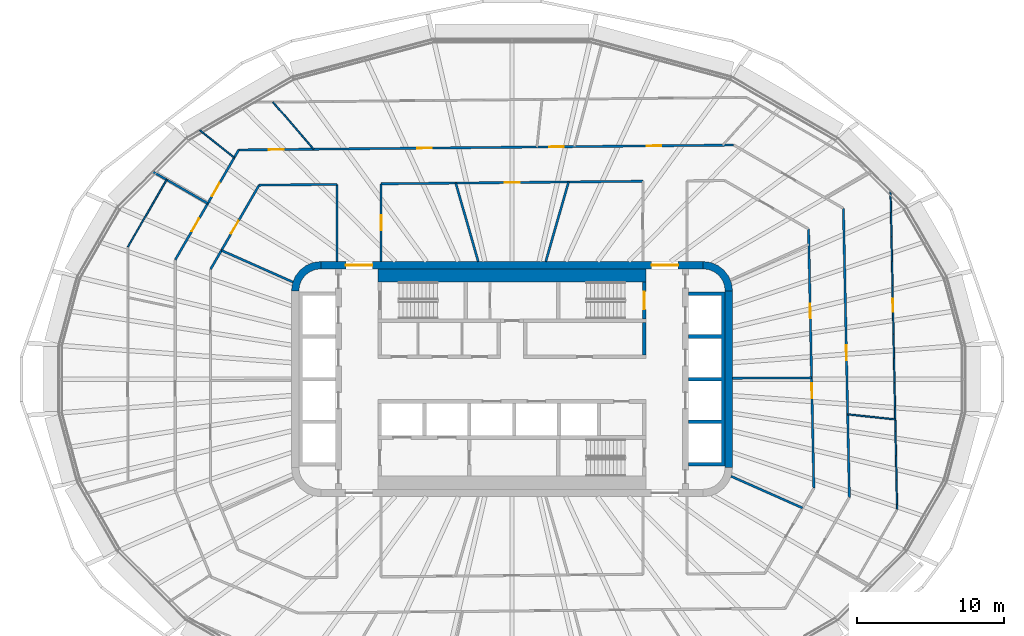
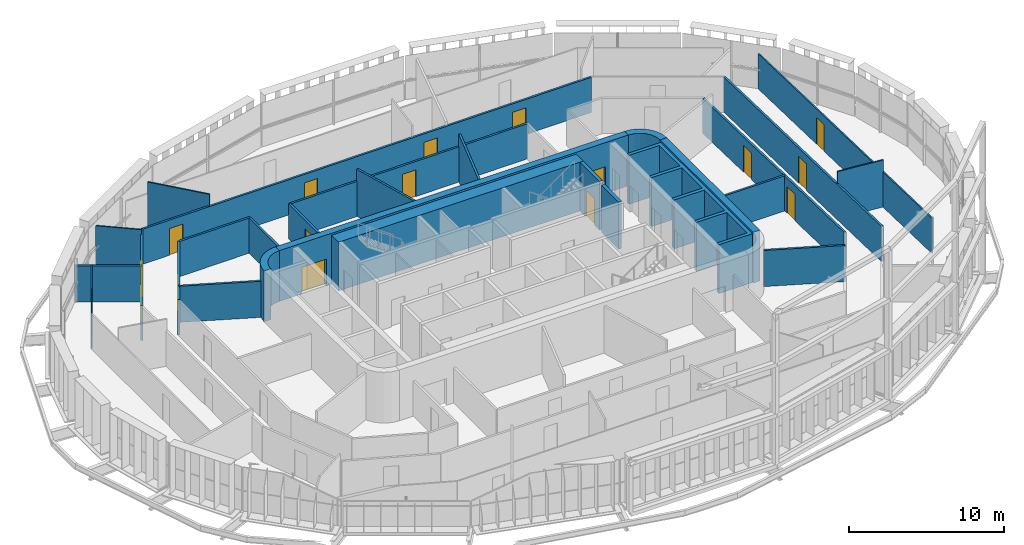
# One storey, part 14 of 23: 28 walls, 16 doors, 16 openings.
"""IFC4 building model written with IfcOpenShell, lengths in metres."""

from ifc_helpers import new_model, si_unit, direction, frame, frame_2d, origin, place, context, subcontext, project, spatial, polyline, rectangle, outline, extrude, material, layer, layer_set, type_object, element, fill, save


model = new_model("IFC4")

# Units and contexts
model_context = context("Model", 3, precision=1e-05, world=origin(), true_north=direction((0.0, 1.0)))
body_context = subcontext(model_context, "Body", "Model", "MODEL_VIEW")
ifc_project = project(units=[si_unit("LENGTHUNIT", "METRE"), si_unit("AREAUNIT", "SQUARE_METRE"), si_unit("VOLUMEUNIT", "CUBIC_METRE"), si_unit("PLANEANGLEUNIT", "RADIAN"), si_unit("MASSUNIT", "GRAM", prefix="KILO")], contexts=[model_context])

# Site, building, storey
site_placement = place(None, origin())
site = spatial("IfcSite", under=ifc_project, at=site_placement, CompositionType="ELEMENT")
building_placement = place(site_placement, origin())
building = spatial("IfcBuilding", under=site, at=building_placement, Name="Sahrelin Media Tower", CompositionType="ELEMENT")
storey_placement = place(building_placement, frame((0.0, 0.0, 185.60009765625)))
storey = spatial("IfcBuildingStorey", under=building, at=storey_placement, Name="L39", CompositionType="ELEMENT", Elevation=185.60009765625)

# Wall, openings, doors
ifc_material_1 = material(Name="Concrete C60/75", Category="concrete")
ifc_layer_1 = layer(ifc_material_1, 0.5)
ifc_layer_set_1 = layer_set([ifc_layer_1], Name="Core wall 500")
wall_type_1 = type_object("IfcWallType", Name="Core wall 500", PredefinedType="SHEAR", material=ifc_layer_set_1)
wall_1_placement = place(storey_placement, frame((-13.0, 7.75, 0.0), z_axis=(0.0, 0.0, 1.0), x_axis=(1.0, 0.0, 0.0)))
wall_1 = element("IfcWall", 1, at=wall_1_placement, inside=storey, type_object=wall_type_1, Name="Core wall N L39", PredefinedType="SHEAR", context=body_context, shape_type="SweptSolid", body=[
    extrude(rectangle(XDim=26.0, YDim=0.5, at=frame_2d((13.0, 0.0))), origin(), (0.0, 0.0, 1.0), 4.0),
])
opening_1_placement = place(wall_1_placement, frame((1.699951171875, 0.0, 0.0)))
opening_1 = element("IfcOpeningElement", 2, at=opening_1_placement, cuts=wall_1, Name="Opening L39-D17", PredefinedType="OPENING", context=body_context, shape_type="SweptSolid", body=[
    extrude(rectangle(XDim=1.800048828125, YDim=2.10009765625, at=frame_2d((0.89990234375, 1.050048828125))), frame((0.0, 0.25, 0.0), z_axis=(0.0, -1.0, 0.0), x_axis=(1.0, 0.0, 0.0)), (0.0, 0.0, 1.0), 0.5),
])
opening_2_placement = place(wall_1_placement, frame((22.5, 0.0, 0.0)))
opening_2 = element("IfcOpeningElement", 3, at=opening_2_placement, cuts=wall_1, Name="Opening L39-D18", PredefinedType="OPENING", context=body_context, shape_type="SweptSolid", body=[
    extrude(rectangle(XDim=1.800048828125, YDim=2.10009765625, at=frame_2d((0.89990234375, 1.050048828125))), frame((0.0, 0.25, 0.0), z_axis=(0.0, -1.0, 0.0), x_axis=(1.0, 0.0, 0.0)), (0.0, 0.0, 1.0), 0.5),
])
ifc_material_2 = material(Name="Steel fire door leaf", Category="steel")
door_type_1 = type_object("IfcDoorType", Name="Lobby double door 1800 x 2100 EI 60", OperationType="DOUBLE_DOOR_SINGLE_SWING", PredefinedType="DOOR", material=ifc_material_2)
door_1_placement = place(opening_1_placement, origin())
door_1 = element("IfcDoor", 4, at=door_1_placement, inside=storey, type_object=door_type_1, Name="Lobby door", OperationType="DOUBLE_DOOR_SINGLE_SWING", OverallHeight=2.10009765625, OverallWidth=1.800048828125, PredefinedType="DOOR", context=body_context, shape_type="SweptSolid", body=[
    extrude(rectangle(XDim=1.800048828125, YDim=2.10009765625, at=frame_2d((0.89990234375, 1.050048828125))), frame((0.0, 0.02490234375, 0.0), z_axis=(0.0, -1.0, 0.0), x_axis=(1.0, 0.0, 0.0)), (0.0, 0.0, 1.0), 0.050048828125),
])
fill(opening_1, door_1)
door_2_placement = place(opening_2_placement, origin())
door_2 = element("IfcDoor", 5, at=door_2_placement, inside=storey, type_object=door_type_1, Name="Lobby door", OperationType="DOUBLE_DOOR_SINGLE_SWING", OverallHeight=2.10009765625, OverallWidth=1.800048828125, PredefinedType="DOOR", context=body_context, shape_type="SweptSolid", body=[
    extrude(rectangle(XDim=1.800048828125, YDim=2.10009765625, at=frame_2d((0.89990234375, 1.050048828125))), frame((0.0, 0.02490234375, 0.0), z_axis=(0.0, -1.0, 0.0), x_axis=(1.0, 0.0, 0.0)), (0.0, 0.0, 1.0), 0.050048828125),
])
fill(opening_2, door_2)

# Walls
wall_2_placement = place(storey_placement, frame((14.75, -6.0, 0.0), z_axis=(0.0, 0.0, 1.0), x_axis=(0.0, 1.0, 0.0)))
element("IfcWall", 6, at=wall_2_placement, inside=storey, type_object=wall_type_1, Name="Core wall E L39", PredefinedType="SHEAR", context=body_context, shape_type="SweptSolid", body=[
    extrude(rectangle(XDim=12.0, YDim=0.5, at=frame_2d((6.0, 0.0))), origin(), (0.0, 0.0, 1.0), 4.0),
])
placement = place(storey_placement, origin())
element("IfcWall", 7, at=placement, inside=storey, type_object=wall_type_1, Name="Core wall corner NE L39", PredefinedType="SHEAR", context=body_context, shape_type="SweptSolid", body=[
    extrude(outline(polyline([(13.0, 8.0), (13.0, 7.49560546875), (13.38720703125, 7.44482421875), (13.747802734375, 7.29541015625), (14.0576171875, 7.0576171875), (14.29541015625, 6.747802734375), (14.44482421875, 6.38720703125), (14.49560546875, 6.0), (15.0, 6.0), (14.931884765625, 6.517578125), (14.732177734375, 7.0), (14.414306640625, 7.414306640625), (14.0, 7.732177734375), (13.517578125, 7.931884765625), (13.0, 8.0)])), origin(), (0.0, 0.0, 1.0), 4.0),
])
element("IfcWall", 8, at=placement, inside=storey, type_object=wall_type_1, Name="Core wall corner NW L39", PredefinedType="SHEAR", context=body_context, shape_type="SweptSolid", body=[
    extrude(outline(polyline([(-15.0, 6.0), (-14.49560546875, 6.0), (-14.44482421875, 6.38720703125), (-14.29541015625, 6.747802734375), (-14.0576171875, 7.0576171875), (-13.747802734375, 7.29541015625), (-13.38720703125, 7.44482421875), (-13.0, 7.49560546875), (-13.0, 8.0), (-13.517578125, 7.931884765625), (-14.0, 7.732177734375), (-14.414306640625, 7.414306640625), (-14.732177734375, 7.0), (-14.931884765625, 6.517578125), (-15.0, 6.0)])), origin(), (0.0, 0.0, 1.0), 4.0),
])
ifc_material_3 = material(Name="Fire-rated gypsum board partition")
ifc_layer_2 = layer(ifc_material_3, 0.25)
ifc_layer_set_2 = layer_set([ifc_layer_2], Name="Fire-rated lobby wall 250")
wall_type_2 = type_object("IfcWallType", Name="Fire-rated lobby wall 250", PredefinedType="PARTITIONING", material=ifc_layer_set_2)
wall_5_placement = place(storey_placement, frame((9.0, 1.64990234375, 0.0), z_axis=(0.0, 0.0, 1.0), x_axis=(0.0, 1.0, 0.0)))
element("IfcWall", 9, at=wall_5_placement, inside=storey, type_object=wall_type_2, Name="Core lobby wall", PredefinedType="PARTITIONING", context=body_context, shape_type="SweptSolid", body=[
    extrude(rectangle(XDim=2.2001953125, YDim=0.25, at=frame_2d((1.10009765625, 0.0))), origin(), (0.0, 0.0, 1.0), 3.699951171875),
])

# Wall, openings, doors
ifc_layer_3 = layer(ifc_material_3, 0.14990234375)
ifc_layer_set_3 = layer_set([ifc_layer_3], Name="Fire-rated partition 150")
wall_type_3 = type_object("IfcWallType", Name="Fire-rated partition 150", PredefinedType="PARTITIONING", material=ifc_layer_set_3)
wall_6_placement = place(storey_placement, frame((20.1669921875, 10.212890625, 0.0), z_axis=(0.0, 0.0, 1.0), x_axis=(0.020624730832, -0.999787287616, 0.0)))
wall_6 = element("IfcWall", 10, at=wall_6_placement, inside=storey, type_object=wall_type_3, Name="Wall", PredefinedType="PARTITIONING", context=body_context, shape_type="SweptSolid", body=[
    extrude(rectangle(XDim=17.637451171875, YDim=0.14990234375, at=frame_2d((8.81884765625, 0.0))), origin(), (0.0, 0.0, 1.0), 2.76806640625),
])
opening_3_placement = place(wall_6_placement, frame((10.507568359375, 0.0, 0.0)))
opening_3 = element("IfcOpeningElement", 11, at=opening_3_placement, cuts=wall_6, Name="Opening L39-D25", PredefinedType="OPENING", context=body_context, shape_type="SweptSolid", body=[
    extrude(rectangle(XDim=1.0, YDim=2.10009765625, at=frame_2d((0.5, 1.050048828125))), frame((0.0, 0.074951171875, 0.0), z_axis=(0.0, -1.0, 0.0), x_axis=(1.0, 0.0, 0.0)), (0.0, 0.0, 1.0), 0.14990234375),
])
opening_4_placement = place(wall_6_placement, frame((5.089111328125, 0.0, 0.0)))
opening_4 = element("IfcOpeningElement", 12, at=opening_4_placement, cuts=wall_6, Name="Opening L39-D26", PredefinedType="OPENING", context=body_context, shape_type="SweptSolid", body=[
    extrude(rectangle(XDim=1.0, YDim=2.10009765625, at=frame_2d((0.5, 1.050048828125))), frame((0.0, 0.074951171875, 0.0), z_axis=(0.0, -1.0, 0.0), x_axis=(1.0, 0.0, 0.0)), (0.0, 0.0, 1.0), 0.14990234375),
])
door_type_2 = type_object("IfcDoorType", Name="Fire door 1000 x 2100 EI 60", OperationType="NOTDEFINED", PredefinedType="DOOR", material=ifc_material_2)
door_3_placement = place(opening_3_placement, origin())
door_3 = element("IfcDoor", 13, at=door_3_placement, inside=storey, type_object=door_type_2, Name="Fire door", OperationType="SINGLE_SWING_RIGHT", OverallHeight=2.10009765625, OverallWidth=1.0, PredefinedType="DOOR", context=body_context, shape_type="SweptSolid", body=[
    extrude(rectangle(XDim=1.0, YDim=2.10009765625, at=frame_2d((0.5, 1.050048828125))), frame((0.0, 0.02490234375, 0.0), z_axis=(0.0, -1.0, 0.0), x_axis=(1.0, 0.0, 0.0)), (0.0, 0.0, 1.0), 0.050048828125),
])
fill(opening_3, door_3)
door_4_placement = place(opening_4_placement, origin())
door_4 = element("IfcDoor", 14, at=door_4_placement, inside=storey, type_object=door_type_2, Name="Fire door", OperationType="SINGLE_SWING_LEFT", OverallHeight=2.10009765625, OverallWidth=1.0, PredefinedType="DOOR", context=body_context, shape_type="SweptSolid", body=[
    extrude(rectangle(XDim=1.0, YDim=2.10009765625, at=frame_2d((0.5, 1.050048828125))), frame((0.0, 0.02490234375, 0.0), z_axis=(0.0, -1.0, 0.0), x_axis=(1.0, 0.0, 0.0)), (0.0, 0.0, 1.0), 0.050048828125),
])
fill(opening_4, door_4)

# Wall, opening, door
wall_7_placement = place(storey_placement, frame((22.5390625, 11.614990234375, 0.0), z_axis=(0.0, 0.0, 1.0), x_axis=(0.020626332176, -0.99978725458, 0.0)))
wall_7 = element("IfcWall", 15, at=wall_7_placement, inside=storey, type_object=wall_type_3, Name="Wall", PredefinedType="PARTITIONING", context=body_context, shape_type="SweptSolid", body=[
    extrude(rectangle(XDim=19.66015625, YDim=0.14990234375, at=frame_2d((9.830078125, 0.0))), origin(), (0.0, 0.0, 1.0), 2.76806640625),
])
opening_5_placement = place(wall_7_placement, frame((9.329833984375, 0.0, 0.0)))
opening_5 = element("IfcOpeningElement", 16, at=opening_5_placement, cuts=wall_7, Name="Opening L39-D36", PredefinedType="OPENING", context=body_context, shape_type="SweptSolid", body=[
    extrude(rectangle(XDim=1.0, YDim=2.10009765625, at=frame_2d((0.5, 1.050048828125))), frame((0.0, 0.074951171875, 0.0), z_axis=(0.0, -1.0, 0.0), x_axis=(1.0, 0.0, 0.0)), (0.0, 0.0, 1.0), 0.14990234375),
])
door_5_placement = place(opening_5_placement, origin())
door_5 = element("IfcDoor", 17, at=door_5_placement, inside=storey, type_object=door_type_2, Name="Fire door", OperationType="SINGLE_SWING_RIGHT", OverallHeight=2.10009765625, OverallWidth=1.0, PredefinedType="DOOR", context=body_context, shape_type="SweptSolid", body=[
    extrude(rectangle(XDim=1.0, YDim=2.10009765625, at=frame_2d((0.5, 1.050048828125))), frame((0.0, 0.02490234375, 0.0), z_axis=(0.0, -1.0, 0.0), x_axis=(1.0, 0.0, 0.0)), (0.0, 0.0, 1.0), 0.050048828125),
])
fill(opening_5, door_5)

# Walls
wall_8_placement = place(storey_placement, frame((-3.826904296875, 13.3330078125, 0.0), z_axis=(0.0, 0.0, 1.0), x_axis=(0.275935525478, -0.961176147113, 0.0)))
element("IfcWall", 18, at=wall_8_placement, inside=storey, type_object=wall_type_3, Name="Wall", PredefinedType="PARTITIONING", context=body_context, shape_type="SweptSolid", body=[
    extrude(rectangle(XDim=5.54833984375, YDim=0.14990234375, at=frame_2d((2.774169921875, 0.0))), origin(), (0.0, 0.0, 1.0), 3.699951171875),
])
wall_9_placement = place(storey_placement, frame((-24.43310546875, 14.10595703125, 0.0), z_axis=(0.0, 0.0, 1.0), x_axis=(0.866048255864, -0.499960416948, 0.0)))
element("IfcWall", 19, at=wall_9_placement, inside=storey, type_object=wall_type_3, Name="Wall", PredefinedType="PARTITIONING", context=body_context, shape_type="SweptSolid", body=[
    extrude(rectangle(XDim=4.322021484375, YDim=0.14990234375, at=frame_2d((2.1611328125, 0.0))), origin(), (0.0, 0.0, 1.0), 2.844970703125),
])
wall_10_placement = place(storey_placement, frame((-19.760009765625, 8.7548828125, 0.0), z_axis=(0.0, 0.0, 1.0), x_axis=(0.91424834547, -0.405154245695, 0.0)))
element("IfcWall", 20, at=wall_10_placement, inside=storey, type_object=wall_type_3, Name="Wall", PredefinedType="PARTITIONING", context=body_context, shape_type="SweptSolid", body=[
    extrude(rectangle(XDim=5.31787109375, YDim=0.14990234375, at=frame_2d((2.658935546875, 0.0))), origin(), (0.0, 0.0, 1.0), 2.844970703125),
])
wall_11_placement = place(storey_placement, frame((14.89501953125, -6.60693359375, 0.0), z_axis=(0.0, 0.0, 1.0), x_axis=(0.914233271379, -0.405188259337, 0.0)))
element("IfcWall", 21, at=wall_11_placement, inside=storey, type_object=wall_type_3, Name="Wall", PredefinedType="PARTITIONING", context=body_context, shape_type="SweptSolid", body=[
    extrude(rectangle(XDim=5.3173828125, YDim=0.14990234375, at=frame_2d((2.65869140625, 0.0))), origin(), (0.0, 0.0, 1.0), 2.844970703125),
])
wall_12_placement = place(storey_placement, frame((15.0, 0.06298828125, 0.0), z_axis=(0.0, 0.0, 1.0), x_axis=(0.999990294223, 0.004405843865, 0.0)))
element("IfcWall", 22, at=wall_12_placement, inside=storey, type_object=wall_type_3, Name="Wall", PredefinedType="PARTITIONING", context=body_context, shape_type="SweptSolid", body=[
    extrude(rectangle(XDim=5.375, YDim=0.14990234375, at=frame_2d((2.6875, 0.0))), origin(), (0.0, 0.0, 1.0), 2.76806640625),
])
wall_13_placement = place(storey_placement, frame((-17.194091796875, 13.19091796875, 0.0), z_axis=(0.0, 0.0, 1.0), x_axis=(0.999950853109, 0.009914200296, 0.0)))
element("IfcWall", 23, at=wall_13_placement, inside=storey, type_object=wall_type_3, Name="Wall", PredefinedType="PARTITIONING", context=body_context, shape_type="SweptSolid", body=[
    extrude(rectangle(XDim=5.29443359375, YDim=0.14990234375, at=frame_2d((2.647216796875, 0.0))), origin(), (0.0, 0.0, 1.0), 2.77685546875),
])

# Wall, opening, door
wall_14_placement = place(storey_placement, frame((-8.89990234375, 13.282470703125, 0.0), z_axis=(0.0, 0.0, 1.0), x_axis=(0.999951241216, 0.009874977968, 0.0)))
wall_14 = element("IfcWall", 24, at=wall_14_placement, inside=storey, type_object=wall_type_3, Name="Wall", PredefinedType="PARTITIONING", context=body_context, shape_type="SweptSolid", body=[
    extrude(rectangle(XDim=17.80078125, YDim=0.14990234375, at=frame_2d((8.900390625, 0.0))), origin(), (0.0, 0.0, 1.0), 2.76806640625),
])
opening_6_placement = place(wall_14_placement, frame((8.41259765625, 0.0, 0.0)))
opening_6 = element("IfcOpeningElement", 25, at=opening_6_placement, cuts=wall_14, Name="Opening L39-D29", PredefinedType="OPENING", context=body_context, shape_type="SweptSolid", body=[
    extrude(rectangle(XDim=1.0, YDim=2.10009765625, at=frame_2d((0.5, 1.050048828125))), frame((0.0, 0.074951171875, 0.0), z_axis=(0.0, -1.0, 0.0), x_axis=(1.0, 0.0, 0.0)), (0.0, 0.0, 1.0), 0.14990234375),
])
door_6_placement = place(opening_6_placement, origin())
door_6 = element("IfcDoor", 26, at=door_6_placement, inside=storey, type_object=door_type_2, Name="Fire door", OperationType="SINGLE_SWING_RIGHT", OverallHeight=2.10009765625, OverallWidth=1.0, PredefinedType="DOOR", context=body_context, shape_type="SweptSolid", body=[
    extrude(rectangle(XDim=1.0, YDim=2.10009765625, at=frame_2d((0.5, 1.050048828125))), frame((0.0, 0.02490234375, 0.0), z_axis=(0.0, -1.0, 0.0), x_axis=(1.0, 0.0, 0.0)), (0.0, 0.0, 1.0), 0.050048828125),
])
fill(opening_6, door_6)

# Wall, openings, doors
wall_15_placement = place(storey_placement, frame((-18.5869140625, 15.58642578125, 0.0), z_axis=(0.0, 0.0, 1.0), x_axis=(0.999951300332, 0.009868989991, 0.0)))
wall_15 = element("IfcWall", 27, at=wall_15_placement, inside=storey, type_object=wall_type_3, Name="Wall", PredefinedType="PARTITIONING", context=body_context, shape_type="SweptSolid", body=[
    extrude(rectangle(XDim=33.668701171875, YDim=0.14990234375, at=frame_2d((16.83447265625, 0.0))), origin(), (0.0, 0.0, 1.0), 2.76806640625),
])
opening_7_placement = place(wall_15_placement, frame((27.74853515625, 0.0, 0.0)))
opening_7 = element("IfcOpeningElement", 28, at=opening_7_placement, cuts=wall_15, Name="Opening L39-D39", PredefinedType="OPENING", context=body_context, shape_type="SweptSolid", body=[
    extrude(rectangle(XDim=1.0, YDim=2.10009765625, at=frame_2d((0.5, 1.050048828125))), frame((0.0, 0.074951171875, 0.0), z_axis=(0.0, -1.0, 0.0), x_axis=(1.0, 0.0, 0.0)), (0.0, 0.0, 1.0), 0.14990234375),
])
opening_8_placement = place(wall_15_placement, frame((21.11083984375, 0.0, 0.0)))
opening_8 = element("IfcOpeningElement", 29, at=opening_8_placement, cuts=wall_15, Name="Opening L39-D41", PredefinedType="OPENING", context=body_context, shape_type="SweptSolid", body=[
    extrude(rectangle(XDim=1.0, YDim=2.10009765625, at=frame_2d((0.5, 1.050048828125))), frame((0.0, 0.074951171875, 0.0), z_axis=(0.0, -1.0, 0.0), x_axis=(1.0, 0.0, 0.0)), (0.0, 0.0, 1.0), 0.14990234375),
])
opening_9_placement = place(wall_15_placement, frame((12.139404296875, 0.0, 0.0)))
opening_9 = element("IfcOpeningElement", 30, at=opening_9_placement, cuts=wall_15, Name="Opening L39-D42", PredefinedType="OPENING", context=body_context, shape_type="SweptSolid", body=[
    extrude(rectangle(XDim=1.0, YDim=2.10009765625, at=frame_2d((0.5, 1.050048828125))), frame((0.0, 0.074951171875, 0.0), z_axis=(0.0, -1.0, 0.0), x_axis=(1.0, 0.0, 0.0)), (0.0, 0.0, 1.0), 0.14990234375),
])
opening_10_placement = place(wall_15_placement, frame((2.0478515625, 0.0, 0.0)))
opening_10 = element("IfcOpeningElement", 31, at=opening_10_placement, cuts=wall_15, Name="Opening L39-D43", PredefinedType="OPENING", context=body_context, shape_type="SweptSolid", body=[
    extrude(rectangle(XDim=1.0, YDim=2.10009765625, at=frame_2d((0.5, 1.050048828125))), frame((0.0, 0.074951171875, 0.0), z_axis=(0.0, -1.0, 0.0), x_axis=(1.0, 0.0, 0.0)), (0.0, 0.0, 1.0), 0.14990234375),
])
door_7_placement = place(opening_7_placement, origin())
door_7 = element("IfcDoor", 32, at=door_7_placement, inside=storey, type_object=door_type_2, Name="Fire door", OperationType="SINGLE_SWING_RIGHT", OverallHeight=2.10009765625, OverallWidth=1.0, PredefinedType="DOOR", context=body_context, shape_type="SweptSolid", body=[
    extrude(rectangle(XDim=1.0, YDim=2.10009765625, at=frame_2d((0.5, 1.050048828125))), frame((0.0, 0.02490234375, 0.0), z_axis=(0.0, -1.0, 0.0), x_axis=(1.0, 0.0, 0.0)), (0.0, 0.0, 1.0), 0.050048828125),
])
fill(opening_7, door_7)
door_8_placement = place(opening_8_placement, origin())
door_8 = element("IfcDoor", 33, at=door_8_placement, inside=storey, type_object=door_type_2, Name="Fire door", OperationType="SINGLE_SWING_LEFT", OverallHeight=2.10009765625, OverallWidth=1.0, PredefinedType="DOOR", context=body_context, shape_type="SweptSolid", body=[
    extrude(rectangle(XDim=1.0, YDim=2.10009765625, at=frame_2d((0.5, 1.050048828125))), frame((0.0, 0.02490234375, 0.0), z_axis=(0.0, -1.0, 0.0), x_axis=(1.0, 0.0, 0.0)), (0.0, 0.0, 1.0), 0.050048828125),
])
fill(opening_8, door_8)
door_9_placement = place(opening_9_placement, origin())
door_9 = element("IfcDoor", 34, at=door_9_placement, inside=storey, type_object=door_type_2, Name="Fire door", OperationType="SINGLE_SWING_LEFT", OverallHeight=2.10009765625, OverallWidth=1.0, PredefinedType="DOOR", context=body_context, shape_type="SweptSolid", body=[
    extrude(rectangle(XDim=1.0, YDim=2.10009765625, at=frame_2d((0.5, 1.050048828125))), frame((0.0, 0.02490234375, 0.0), z_axis=(0.0, -1.0, 0.0), x_axis=(1.0, 0.0, 0.0)), (0.0, 0.0, 1.0), 0.050048828125),
])
fill(opening_9, door_9)
door_10_placement = place(opening_10_placement, origin())
door_10 = element("IfcDoor", 35, at=door_10_placement, inside=storey, type_object=door_type_2, Name="Fire door", OperationType="SINGLE_SWING_RIGHT", OverallHeight=2.10009765625, OverallWidth=1.0, PredefinedType="DOOR", context=body_context, shape_type="SweptSolid", body=[
    extrude(rectangle(XDim=1.0, YDim=2.10009765625, at=frame_2d((0.5, 1.050048828125))), frame((0.0, 0.02490234375, 0.0), z_axis=(0.0, -1.0, 0.0), x_axis=(1.0, 0.0, 0.0)), (0.0, 0.0, 1.0), 0.050048828125),
])
fill(opening_10, door_10)

# Wall, opening, door
wall_16_placement = place(storey_placement, frame((-20.5, 7.47412109375, 0.0), z_axis=(0.0, 0.0, 1.0), x_axis=(0.499957196903, 0.866050114754, 0.0)))
wall_16 = element("IfcWall", 36, at=wall_16_placement, inside=storey, type_object=wall_type_3, Name="Wall", PredefinedType="PARTITIONING", context=body_context, shape_type="SweptSolid", body=[
    extrude(rectangle(XDim=6.60205078125, YDim=0.14990234375, at=frame_2d((3.301025390625, 0.0))), origin(), (0.0, 0.0, 1.0), 2.77685546875),
])
opening_11_placement = place(wall_16_placement, frame((2.8017578125, 0.0, 0.0)))
opening_11 = element("IfcOpeningElement", 37, at=opening_11_placement, cuts=wall_16, Name="Opening L39-D31", PredefinedType="OPENING", context=body_context, shape_type="SweptSolid", body=[
    extrude(rectangle(XDim=1.0, YDim=2.10009765625, at=frame_2d((0.5, 1.050048828125))), frame((0.0, 0.074951171875, 0.0), z_axis=(0.0, -1.0, 0.0), x_axis=(1.0, 0.0, 0.0)), (0.0, 0.0, 1.0), 0.14990234375),
])
door_11_placement = place(opening_11_placement, origin())
door_11 = element("IfcDoor", 38, at=door_11_placement, inside=storey, type_object=door_type_2, Name="Fire door", OperationType="SINGLE_SWING_LEFT", OverallHeight=2.10009765625, OverallWidth=1.0, PredefinedType="DOOR", context=body_context, shape_type="SweptSolid", body=[
    extrude(rectangle(XDim=1.0, YDim=2.10009765625, at=frame_2d((0.5, 1.050048828125))), frame((0.0, 0.02490234375, 0.0), z_axis=(0.0, -1.0, 0.0), x_axis=(1.0, 0.0, 0.0)), (0.0, 0.0, 1.0), 0.050048828125),
])
fill(opening_11, door_11)

# Wall, openings, doors
wall_17_placement = place(storey_placement, frame((-22.89990234375, 8.116943359375, 0.0), z_axis=(0.0, 0.0, 1.0), x_axis=(0.499950307977, 0.866054091587, 0.0)))
wall_17 = element("IfcWall", 39, at=wall_17_placement, inside=storey, type_object=wall_type_3, Name="Wall", PredefinedType="PARTITIONING", context=body_context, shape_type="SweptSolid", body=[
    extrude(rectangle(XDim=8.6259765625, YDim=0.14990234375, at=frame_2d((4.31298828125, 0.0))), origin(), (0.0, 0.0, 1.0), 2.77685546875),
])
opening_12_placement = place(wall_17_placement, frame((5.015380859375, 0.0, 0.0)))
opening_12 = element("IfcOpeningElement", 40, at=opening_12_placement, cuts=wall_17, Name="Opening L39-D44", PredefinedType="OPENING", context=body_context, shape_type="SweptSolid", body=[
    extrude(rectangle(XDim=1.0, YDim=2.10009765625, at=frame_2d((0.5, 1.050048828125))), frame((0.0, 0.074951171875, 0.0), z_axis=(0.0, -1.0, 0.0), x_axis=(1.0, 0.0, 0.0)), (0.0, 0.0, 1.0), 0.14990234375),
])
opening_13_placement = place(wall_17_placement, frame((2.2373046875, 0.0, 0.0)))
opening_13 = element("IfcOpeningElement", 41, at=opening_13_placement, cuts=wall_17, Name="Opening L39-D46", PredefinedType="OPENING", context=body_context, shape_type="SweptSolid", body=[
    extrude(rectangle(XDim=1.0, YDim=2.10009765625, at=frame_2d((0.5, 1.050048828125))), frame((0.0, 0.074951171875, 0.0), z_axis=(0.0, -1.0, 0.0), x_axis=(1.0, 0.0, 0.0)), (0.0, 0.0, 1.0), 0.14990234375),
])
door_12_placement = place(opening_12_placement, origin())
door_12 = element("IfcDoor", 42, at=door_12_placement, inside=storey, type_object=door_type_2, Name="Fire door", OperationType="SINGLE_SWING_RIGHT", OverallHeight=2.10009765625, OverallWidth=1.0, PredefinedType="DOOR", context=body_context, shape_type="SweptSolid", body=[
    extrude(rectangle(XDim=1.0, YDim=2.10009765625, at=frame_2d((0.5, 1.050048828125))), frame((0.0, 0.02490234375, 0.0), z_axis=(0.0, -1.0, 0.0), x_axis=(1.0, 0.0, 0.0)), (0.0, 0.0, 1.0), 0.050048828125),
])
fill(opening_12, door_12)
door_13_placement = place(opening_13_placement, origin())
door_13 = element("IfcDoor", 43, at=door_13_placement, inside=storey, type_object=door_type_2, Name="Fire door", OperationType="SINGLE_SWING_RIGHT", OverallHeight=2.10009765625, OverallWidth=1.0, PredefinedType="DOOR", context=body_context, shape_type="SweptSolid", body=[
    extrude(rectangle(XDim=1.0, YDim=2.10009765625, at=frame_2d((0.5, 1.050048828125))), frame((0.0, 0.02490234375, 0.0), z_axis=(0.0, -1.0, 0.0), x_axis=(1.0, 0.0, 0.0)), (0.0, 0.0, 1.0), 0.050048828125),
])
fill(opening_13, door_13)

# Wall
wall_18_placement = place(storey_placement, frame((2.2958984375, 8.0, 0.0), z_axis=(0.0, 0.0, 1.0), x_axis=(0.275958345059, 0.961169595749, 0.0)))
element("IfcWall", 44, at=wall_18_placement, inside=storey, type_object=wall_type_3, Name="Wall", PredefinedType="PARTITIONING", context=body_context, shape_type="SweptSolid", body=[
    extrude(rectangle(XDim=5.62841796875, YDim=0.14990234375, at=frame_2d((2.814208984375, 0.0))), origin(), (0.0, 0.0, 1.0), 3.699951171875),
])

# Wall, opening, door
wall_19_placement = place(storey_placement, frame((-8.89990234375, 8.0, 0.0), z_axis=(0.0, 0.0, 1.0), x_axis=(0.0, 1.0, 0.0)))
wall_19 = element("IfcWall", 45, at=wall_19_placement, inside=storey, type_object=wall_type_3, Name="Wall", PredefinedType="PARTITIONING", context=body_context, shape_type="SweptSolid", body=[
    extrude(rectangle(XDim=5.282958984375, YDim=0.14990234375, at=frame_2d((2.6416015625, 0.0))), origin(), (0.0, 0.0, 1.0), 2.77685546875),
])
opening_14_placement = place(wall_19_placement, frame((2.1416015625, 0.0, 0.0)))
opening_14 = element("IfcOpeningElement", 46, at=opening_14_placement, cuts=wall_19, Name="Opening L39-D30", PredefinedType="OPENING", context=body_context, shape_type="SweptSolid", body=[
    extrude(rectangle(XDim=1.0, YDim=2.10009765625, at=frame_2d((0.5, 1.050048828125))), frame((0.0, 0.074951171875, 0.0), z_axis=(0.0, -1.0, 0.0), x_axis=(1.0, 0.0, 0.0)), (0.0, 0.0, 1.0), 0.14990234375),
])
door_14_placement = place(opening_14_placement, origin())
door_14 = element("IfcDoor", 47, at=door_14_placement, inside=storey, type_object=door_type_2, Name="Fire door", OperationType="SINGLE_SWING_RIGHT", OverallHeight=2.10009765625, OverallWidth=1.0, PredefinedType="DOOR", context=body_context, shape_type="SweptSolid", body=[
    extrude(rectangle(XDim=1.0, YDim=2.10009765625, at=frame_2d((0.5, 1.050048828125))), frame((0.0, 0.02490234375, 0.0), z_axis=(0.0, -1.0, 0.0), x_axis=(1.0, 0.0, 0.0)), (0.0, 0.0, 1.0), 0.050048828125),
])
fill(opening_14, door_14)

# Walls
wall_20_placement = place(storey_placement, frame((-11.89990234375, 8.0, 0.0), z_axis=(0.0, 0.0, 1.0), x_axis=(0.0, 1.0, 0.0)))
element("IfcWall", 48, at=wall_20_placement, inside=storey, type_object=wall_type_3, Name="Wall", PredefinedType="PARTITIONING", context=body_context, shape_type="SweptSolid", body=[
    extrude(rectangle(XDim=5.242919921875, YDim=0.14990234375, at=frame_2d((2.62158203125, 0.0))), origin(), (0.0, 0.0, 1.0), 2.77685546875),
])
ifc_layer_4 = layer(ifc_material_1, 0.25)
ifc_layer_set_4 = layer_set([ifc_layer_4], Name="Lift shaft wall 250")
wall_type_4 = type_object("IfcWallType", Name="Lift shaft wall 250", PredefinedType="SOLIDWALL", material=ifc_layer_set_4)
element("IfcWall", 49, at=placement, inside=storey, type_object=wall_type_4, Name="Lift shaft wall", PredefinedType="SOLIDWALL", context=body_context, shape_type="SweptSolid", body=[
    extrude(outline(polyline([(12.0, -5.675048828125), (12.0, -5.925048828125), (14.25, -5.925048828125), (14.5, -5.925048828125), (14.5, -5.675048828125), (14.5, -3.02490234375), (14.5, -2.77490234375), (14.5, -0.125), (14.5, 0.125), (14.5, 2.77490234375), (14.5, 3.02490234375), (14.5, 5.675048828125), (14.5, 5.925048828125), (14.25, 5.925048828125), (12.0, 5.925048828125), (12.0, 5.675048828125), (14.25, 5.675048828125), (14.25, 3.02490234375), (12.0, 3.02490234375), (12.0, 2.77490234375), (14.25, 2.77490234375), (14.25, 0.125), (12.0, 0.125), (12.0, -0.125), (14.25, -0.125), (14.25, -2.77490234375), (12.0, -2.77490234375), (12.0, -3.02490234375), (14.25, -3.02490234375), (14.25, -5.675048828125), (12.0, -5.675048828125)])), origin(), (0.0, 0.0, 1.0), 3.849853515625),
])

# Wall, opening, door
ifc_material_4 = material(Name="Gypsum board partition")
ifc_layer_5 = layer(ifc_material_4, 0.10009765625)
ifc_layer_set_5 = layer_set([ifc_layer_5], Name="Partition 100")
wall_type_5 = type_object("IfcWallType", Name="Partition 100", PredefinedType="PARTITIONING", material=ifc_layer_set_5)
wall_22_placement = place(storey_placement, frame((25.74609375, 12.7939453125, 0.0), z_axis=(0.0, 0.0, 1.0), x_axis=(0.020556718749, -0.999788688331, 0.0)))
wall_22 = element("IfcWall", 50, at=wall_22_placement, inside=storey, type_object=wall_type_5, Name="Wall", PredefinedType="PARTITIONING", context=body_context, shape_type="SweptSolid", body=[
    extrude(rectangle(XDim=21.674560546875, YDim=0.10009765625, at=frame_2d((10.83740234375, 0.0))), origin(), (0.0, 0.0, 1.0), 2.76806640625),
])
opening_15_placement = place(wall_22_placement, frame((7.319580078125, 0.0, 0.0)))
opening_15 = element("IfcOpeningElement", 51, at=opening_15_placement, cuts=wall_22, Name="Opening L39-D37", PredefinedType="OPENING", context=body_context, shape_type="SweptSolid", body=[
    extrude(rectangle(XDim=0.89990234375, YDim=2.10009765625, at=frame_2d((0.449951171875, 1.050048828125))), frame((0.0, 0.050048828125, 0.0), z_axis=(0.0, -1.0, 0.0), x_axis=(1.0, 0.0, 0.0)), (0.0, 0.0, 1.0), 0.10009765625),
])
ifc_material_5 = material(Name="Timber door leaf", Category="wood")
door_type_3 = type_object("IfcDoorType", Name="Single door 900 x 2100", OperationType="NOTDEFINED", PredefinedType="DOOR", material=ifc_material_5)
door_15_placement = place(opening_15_placement, origin())
door_15 = element("IfcDoor", 52, at=door_15_placement, inside=storey, type_object=door_type_3, Name="Single door", OperationType="SINGLE_SWING_LEFT", OverallHeight=2.10009765625, OverallWidth=0.89990234375, PredefinedType="DOOR", context=body_context, shape_type="SweptSolid", body=[
    extrude(rectangle(XDim=0.89990234375, YDim=2.10009765625, at=frame_2d((0.449951171875, 1.050048828125))), frame((0.0, 0.02490234375, 0.0), z_axis=(0.0, -1.0, 0.0), x_axis=(1.0, 0.0, 0.0)), (0.0, 0.0, 1.0), 0.050048828125),
])
fill(opening_15, door_15)

# Walls
wall_23_placement = place(storey_placement, frame((-16.257080078125, 18.841064453125, 0.0), z_axis=(0.0, 0.0, 1.0), x_axis=(0.653325359449, -0.757077258079, 0.0)))
element("IfcWall", 53, at=wall_23_placement, inside=storey, type_object=wall_type_5, Name="Wall", PredefinedType="PARTITIONING", context=body_context, shape_type="SweptSolid", body=[
    extrude(rectangle(XDim=4.23095703125, YDim=0.10009765625, at=frame_2d((2.115478515625, 0.0))), origin(), (0.0, 0.0, 1.0), 3.699951171875),
])
wall_24_placement = place(storey_placement, frame((-21.22802734375, 16.927978515625, 0.0), z_axis=(0.0, 0.0, 1.0), x_axis=(0.781894831851, -0.623410355966, 0.0)))
element("IfcWall", 54, at=wall_24_placement, inside=storey, type_object=wall_type_5, Name="Wall", PredefinedType="PARTITIONING", context=body_context, shape_type="SweptSolid", body=[
    extrude(rectangle(XDim=2.99169921875, YDim=0.10009765625, at=frame_2d((1.495849609375, 0.0))), origin(), (0.0, 0.0, 1.0), 3.151611328125),
])
wall_25_placement = place(storey_placement, frame((22.827880859375, -2.39892578125, 0.0), z_axis=(0.0, 0.0, 1.0), x_axis=(0.994498465997, -0.104751139033, 0.0)))
element("IfcWall", 55, at=wall_25_placement, inside=storey, type_object=wall_type_5, Name="Wall", PredefinedType="PARTITIONING", context=body_context, shape_type="SweptSolid", body=[
    extrude(rectangle(XDim=3.255859375, YDim=0.10009765625, at=frame_2d((1.6279296875, 0.0))), origin(), (0.0, 0.0, 1.0), 3.699951171875),
])
wall_26_placement = place(storey_placement, frame((-26.1298828125, 8.98291015625, 0.0), z_axis=(0.0, 0.0, 1.0), x_axis=(0.500063643593, 0.865988656021, 0.0)))
element("IfcWall", 56, at=wall_26_placement, inside=storey, type_object=wall_type_5, Name="Wall", PredefinedType="PARTITIONING", context=body_context, shape_type="SweptSolid", body=[
    extrude(rectangle(XDim=5.285400390625, YDim=0.10009765625, at=frame_2d((2.642578125, 0.0))), origin(), (0.0, 0.0, 1.0), 2.844970703125),
])

# Wall, opening, door
ifc_layer_6 = layer(ifc_material_1, 0.25)
ifc_layer_set_6 = layer_set([ifc_layer_6], Name="Stair enclosure wall 250")
wall_type_6 = type_object("IfcWallType", Name="Stair enclosure wall 250", PredefinedType="SOLIDWALL", material=ifc_layer_set_6)
wall_27_placement = place(storey_placement, frame((9.0, 4.10009765625, 0.0), z_axis=(0.0, 0.0, 1.0), x_axis=(0.0, 1.0, 0.0)))
wall_27 = element("IfcWall", 57, at=wall_27_placement, inside=storey, type_object=wall_type_6, Name="Stair enclosure wall", PredefinedType="SOLIDWALL", context=body_context, shape_type="SweptSolid", body=[
    extrude(rectangle(XDim=2.5, YDim=0.25, at=frame_2d((1.25, 0.0))), origin(), (0.0, 0.0, 1.0), 3.849853515625),
])
opening_16_placement = place(wall_27_placement, frame((0.64990234375, 0.0, 0.0)))
opening_16 = element("IfcOpeningElement", 58, at=opening_16_placement, cuts=wall_27, Name="Opening L39-D02", PredefinedType="OPENING", context=body_context, shape_type="SweptSolid", body=[
    extrude(rectangle(XDim=1.199951171875, YDim=2.10009765625, at=frame_2d((0.60009765625, 1.050048828125))), frame((0.0, 0.125, 0.0), z_axis=(0.0, -1.0, 0.0), x_axis=(1.0, 0.0, 0.0)), (0.0, 0.0, 1.0), 0.25),
])
door_type_4 = type_object("IfcDoorType", Name="Stair door 1200 x 2100 EI 120", OperationType="NOTDEFINED", PredefinedType="DOOR", material=ifc_material_2)
door_16_placement = place(opening_16_placement, origin())
door_16 = element("IfcDoor", 59, at=door_16_placement, inside=storey, type_object=door_type_4, Name="Stair door ST3", OperationType="SINGLE_SWING_LEFT", OverallHeight=2.10009765625, OverallWidth=1.199951171875, PredefinedType="DOOR", context=body_context, shape_type="SweptSolid", body=[
    extrude(rectangle(XDim=1.199951171875, YDim=2.10009765625, at=frame_2d((0.60009765625, 1.050048828125))), frame((0.0, 0.02490234375, 0.0), z_axis=(0.0, -1.0, 0.0), x_axis=(1.0, 0.0, 0.0)), (0.0, 0.0, 1.0), 0.050048828125),
])
fill(opening_16, door_16)

# Wall
ifc_layer_7 = layer(ifc_material_1, 0.89990234375)
ifc_layer_set_7 = layer_set([ifc_layer_7], Name="Stair enclosure wall 900")
wall_type_7 = type_object("IfcWallType", Name="Stair enclosure wall 900", PredefinedType="SOLIDWALL", material=ifc_layer_set_7)
wall_28_placement = place(storey_placement, frame((-9.125, 7.050048828125, 0.0), z_axis=(0.0, 0.0, 1.0), x_axis=(1.0, 0.0, 0.0)))
element("IfcWall", 60, at=wall_28_placement, inside=storey, type_object=wall_type_7, Name="Stair enclosure wall", PredefinedType="SOLIDWALL", context=body_context, shape_type="SweptSolid", body=[
    extrude(rectangle(XDim=18.25, YDim=0.89990234375, at=frame_2d((9.125, 0.0))), origin(), (0.0, 0.0, 1.0), 3.849853515625),
])

save(model, "model.ifc")
